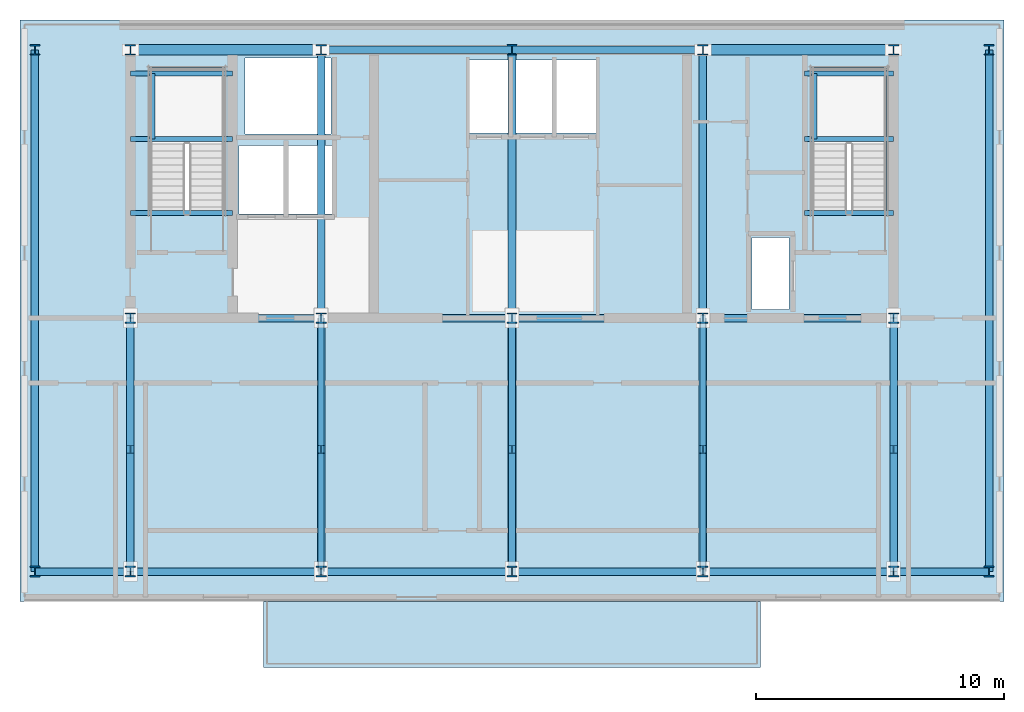
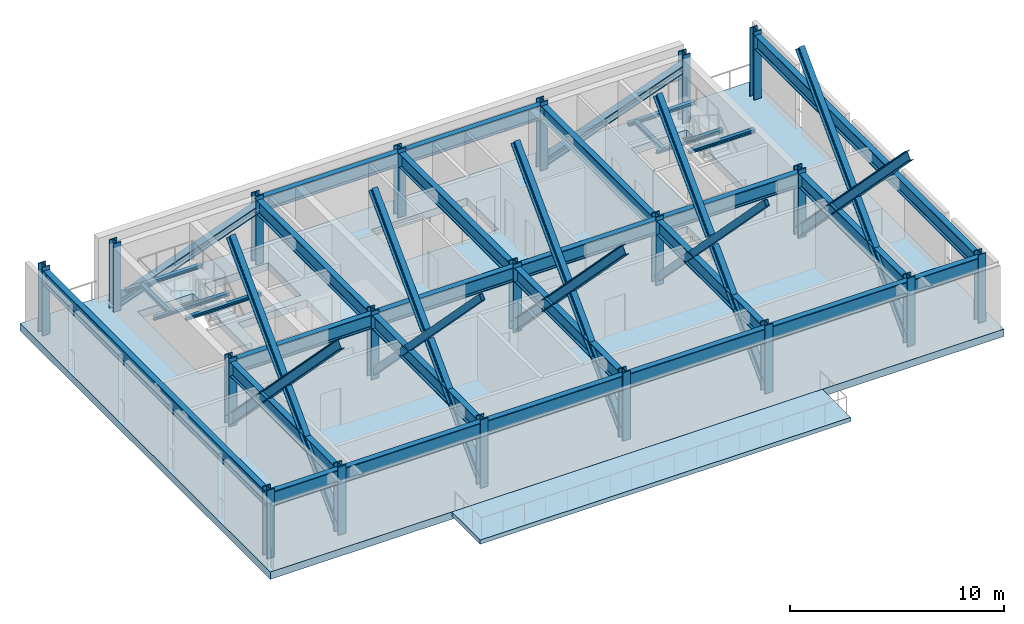
# One storey, part 1 of 8: 30 beams, 19 columns, 17 members, 2 slabs.
"""IFC4 building model written with IfcOpenShell, lengths in metres."""

from ifc_helpers import new_model, si_unit, direction, frame, origin, origin_2d, place, context, subcontext, project, spatial, polyline, hollow_rectangle, i_section, outline, extrude, material, layer, layer_set, material_profile, profile_set, type_object, element, save


model = new_model("IFC4")

# Units and contexts
model_context = context("Model", 3, precision=1e-05, world=origin(), true_north=direction((0.0, 1.0)))
body_context = subcontext(model_context, "Body", "Model", "MODEL_VIEW")
ifc_project = project(units=[si_unit("LENGTHUNIT", "METRE"), si_unit("AREAUNIT", "SQUARE_METRE"), si_unit("VOLUMEUNIT", "CUBIC_METRE"), si_unit("PLANEANGLEUNIT", "RADIAN"), si_unit("MASSUNIT", "GRAM", prefix="KILO")], contexts=[model_context])

# Site, building, storey
site_placement = place(None, origin())
site = spatial("IfcSite", under=ifc_project, at=site_placement, CompositionType="ELEMENT")
building_placement = place(site_placement, origin())
building = spatial("IfcBuilding", under=site, at=building_placement, Name="Yelkora Congress Tower", CompositionType="ELEMENT")
storey_placement = place(building_placement, frame((0.0, 0.0, 247.39990234375)))
storey = spatial("IfcBuildingStorey", under=building, at=storey_placement, Name="L69", CompositionType="ELEMENT", Elevation=247.39990234375)

# Columns
ifc_material_1 = material(Name="Steel S460M", Category="steel")
ifc_material_profile_1 = material_profile(ifc_material_1, i_section(OverallWidth=0.412109375, OverallDepth=0.43505859375, WebThickness=0.035888671875, FlangeThickness=0.05810546875, FilletRadius=0.014892578125, at=origin_2d()), Name="HD 400x463")
ifc_profile_set_1 = profile_set([ifc_material_profile_1], Name="Steel S460M")
column_type = type_object("IfcColumnType", Name="COL-HD-463", PredefinedType="COLUMN", material=ifc_profile_set_1)
for number, where, z_axis, x_axis, name in (
    (1, (23.0400390625, 35.39990234375, 0.0), (0.0, 0.0, 1.0), (1.0, 0.0, 0.0), "L69 Mega Column MC-S1"),
    (2, (23.0400390625, 46.199951171875, 0.0), (0.0, 0.0, 1.0), (1.0, 0.0, 0.0), "L69 Mega Column MC-N1"),
    (3, (23.0400390625, 25.199951171875, 0.0), (0.0, 0.0, 1.0), (1.0, 0.0, 0.0), "L69 Mega Column MC-D1"),
    (4, (30.719970703125, 35.39990234375, 0.0), (0.0, 0.0, 1.0), (1.0, 0.0, 0.0), "L69 Mega Column MC-S2"),
    (5, (30.719970703125, 46.199951171875, 0.0), (0.0, 0.0, 1.0), (1.0, 0.0, 0.0), "L69 Mega Column MC-N2"),
    (6, (30.719970703125, 25.199951171875, 0.0), (0.0, 0.0, 1.0), (1.0, 0.0, 0.0), "L69 Mega Column MC-D2"),
    (7, (38.39990234375, 35.39990234375, 0.0), (0.0, 0.0, 1.0), (1.0, 0.0, 0.0), "L69 Mega Column MC-S3"),
    (8, (38.39990234375, 46.199951171875, 0.0), (0.0, 0.0, 1.0), (1.0, 0.0, 0.0), "L69 Mega Column MC-N3"),
    (9, (38.39990234375, 25.199951171875, 0.0), (0.0, 0.0, 1.0), (1.0, 0.0, 0.0), "L69 Mega Column MC-D3"),
    (10, (46.080078125, 35.39990234375, 0.0), (0.0, 0.0, 1.0), (1.0, 0.0, 0.0), "L69 Mega Column MC-S4"),
    (11, (46.080078125, 46.199951171875, 0.0), (0.0, 0.0, 1.0), (1.0, 0.0, 0.0), "L69 Mega Column MC-N4"),
    (12, (46.080078125, 25.199951171875, 0.0), (0.0, 0.0, 1.0), (1.0, 0.0, 0.0), "L69 Mega Column MC-D4"),
    (13, (53.760009765625, 35.39990234375, 0.0), (0.0, 0.0, 1.0), (1.0, 0.0, 0.0), "L69 Mega Column MC-S5"),
    (14, (53.760009765625, 46.199951171875, 0.0), (0.0, 0.0, 1.0), (1.0, 0.0, 0.0), "L69 Mega Column MC-N5"),
    (15, (53.760009765625, 25.199951171875, 0.0), (0.0, 0.0, 1.0), (1.0, 0.0, 0.0), "L69 Mega Column MC-D5"),
    (16, (19.199951171875, 25.199951171875, 0.0), (0.0, 0.0, 1.0), (1.0, 0.0, 0.0), "L69 Mega Column MC-F1"),
    (17, (57.60009765625, 25.199951171875, 0.0), (0.0, 0.0, 1.0), (1.0, 0.0, 0.0), "L69 Mega Column MC-F2"),
    (18, (19.199951171875, 46.199951171875, 0.0), (0.0, 0.0, 1.0), (1.0, 0.0, 0.0), "L69 Mega Column MC-F3"),
    (19, (57.60009765625, 46.199951171875, 0.0), (0.0, 0.0, 1.0), (1.0, 0.0, 0.0), "L69 Mega Column MC-F4"),
):
    element("IfcColumn", number, at=place(storey_placement, frame(where, z_axis=z_axis, x_axis=x_axis)), inside=storey, type_object=column_type, Name=name, PredefinedType="COLUMN", context=body_context, shape_type="SweptSolid", body=[
        extrude(i_section(OverallWidth=0.412109375, OverallDepth=0.43505859375, WebThickness=0.035888671875, FlangeThickness=0.05810546875, FilletRadius=0.014892578125, at=origin_2d()), origin(), (0.0, 0.0, 1.0), 3.900146484375),
    ])

# Beams
ifc_material_2 = material(Name="Steel S355J2", Category="steel")
ifc_material_profile_2 = material_profile(ifc_material_2, i_section(OverallWidth=0.199951171875, OverallDepth=0.18994140625, WebThickness=0.006591796875, FlangeThickness=0.010009765625, FilletRadius=0.01806640625, at=origin_2d()), Name="HEA 200")
ifc_profile_set_2 = profile_set([ifc_material_profile_2], Name="Steel S355J2")
beam_type_1 = type_object("IfcBeamType", Name="BM-LAND-HEA200", PredefinedType="BEAM", material=ifc_profile_set_2)
for number, where, z_axis, x_axis, name in (
    (20, (23.0400390625, 42.6201171875, 1.634765625), (1.0, 0.0, 0.0), (0.0, 1.0, 0.0), "ST-01 L69 Landing Header Beam 1S"),
    (21, (23.0400390625, 45.25, 1.634765625), (1.0, 0.0, 0.0), (0.0, 1.0, 0.0), "ST-01 L69 Landing Header Beam 1N"),
):
    element("IfcBeam", number, at=place(storey_placement, frame(where, z_axis=z_axis, x_axis=x_axis)), inside=storey, type_object=beam_type_1, Name=name, PredefinedType="BEAM", context=body_context, shape_type="SweptSolid", body=[
        extrude(i_section(OverallWidth=0.199951171875, OverallDepth=0.18994140625, WebThickness=0.006591796875, FlangeThickness=0.010009765625, FilletRadius=0.01806640625, at=origin_2d()), origin(), (0.0, 0.0, 1.0), 4.10986328125),
    ])
beam_1_placement = place(storey_placement, frame((23.93994140625, 42.6201171875, 1.634765625), z_axis=(0.0, 1.0, 0.0), x_axis=(-1.0, 0.0, 0.0)))
element("IfcBeam", 22, at=beam_1_placement, inside=storey, type_object=beam_type_1, Name="ST-01 L69 Landing Trimmer Beam 1M", PredefinedType="BEAM", context=body_context, shape_type="SweptSolid", body=[
    extrude(i_section(OverallWidth=0.199951171875, OverallDepth=0.18994140625, WebThickness=0.006591796875, FlangeThickness=0.010009765625, FilletRadius=0.01806640625, at=origin_2d()), origin(), (0.0, 0.0, 1.0), 2.6298828125),
])
beam_2_placement = place(storey_placement, frame((23.0400390625, 39.639892578125, 3.43798828125), z_axis=(1.0, 0.0, 0.0), x_axis=(0.0, 1.0, 0.0)))
element("IfcBeam", 23, at=beam_2_placement, inside=storey, type_object=beam_type_1, Name="ST-01 L69 Floor Arrival Stringer Header Beam", PredefinedType="BEAM", context=body_context, shape_type="SweptSolid", body=[
    extrude(i_section(OverallWidth=0.199951171875, OverallDepth=0.18994140625, WebThickness=0.006591796875, FlangeThickness=0.010009765625, FilletRadius=0.01806640625, at=origin_2d()), origin(), (0.0, 0.0, 1.0), 4.10986328125),
])
for number, where, z_axis, x_axis, name in (
    (24, (50.179931640625, 42.6201171875, 1.634765625), (1.0, 0.0, 0.0), (0.0, 1.0, 0.0), "ST-02 L69 Landing Header Beam 1S"),
    (25, (50.179931640625, 45.25, 1.634765625), (1.0, 0.0, 0.0), (0.0, 1.0, 0.0), "ST-02 L69 Landing Header Beam 1N"),
):
    element("IfcBeam", number, at=place(storey_placement, frame(where, z_axis=z_axis, x_axis=x_axis)), inside=storey, type_object=beam_type_1, Name=name, PredefinedType="BEAM", context=body_context, shape_type="SweptSolid", body=[
        extrude(i_section(OverallWidth=0.199951171875, OverallDepth=0.18994140625, WebThickness=0.006591796875, FlangeThickness=0.010009765625, FilletRadius=0.01806640625, at=origin_2d()), origin(), (0.0, 0.0, 1.0), 3.580078125),
    ])
beam_3_placement = place(storey_placement, frame((50.580078125, 42.6201171875, 1.634765625), z_axis=(0.0, 1.0, 0.0), x_axis=(-1.0, 0.0, 0.0)))
element("IfcBeam", 26, at=beam_3_placement, inside=storey, type_object=beam_type_1, Name="ST-02 L69 Landing Trimmer Beam 1M", PredefinedType="BEAM", context=body_context, shape_type="SweptSolid", body=[
    extrude(i_section(OverallWidth=0.199951171875, OverallDepth=0.18994140625, WebThickness=0.006591796875, FlangeThickness=0.010009765625, FilletRadius=0.01806640625, at=origin_2d()), origin(), (0.0, 0.0, 1.0), 2.6298828125),
])
beam_4_placement = place(storey_placement, frame((50.179931640625, 39.639892578125, 3.43798828125), z_axis=(1.0, 0.0, 0.0), x_axis=(0.0, 1.0, 0.0)))
element("IfcBeam", 27, at=beam_4_placement, inside=storey, type_object=beam_type_1, Name="ST-02 L69 Floor Arrival Stringer Header Beam", PredefinedType="BEAM", context=body_context, shape_type="SweptSolid", body=[
    extrude(i_section(OverallWidth=0.199951171875, OverallDepth=0.18994140625, WebThickness=0.006591796875, FlangeThickness=0.010009765625, FilletRadius=0.01806640625, at=origin_2d()), origin(), (0.0, 0.0, 1.0), 3.580078125),
])
ifc_material_profile_3 = material_profile(ifc_material_1, i_section(OverallWidth=0.302978515625, OverallDepth=0.81396484375, WebThickness=0.02099609375, FlangeThickness=0.0400390625, FilletRadius=0.030029296875, at=origin_2d()), Name="HEM 800")
ifc_profile_set_3 = profile_set([ifc_material_profile_3], Name="Steel S460M")
beam_type_2 = type_object("IfcBeamType", Name="BM-XFER-HEM800", PredefinedType="BEAM", material=ifc_profile_set_3)
beam_5_placement = place(storey_placement, frame((19.199951171875, 25.199951171875, 3.273193359375), z_axis=(1.0, 0.0, 0.0), x_axis=(0.0, 1.0, 0.0)))
element("IfcBeam", 28, at=beam_5_placement, inside=storey, type_object=beam_type_2, Name="L69 Spine Grid D Girder 1", PredefinedType="BEAM", context=body_context, shape_type="SweptSolid", body=[
    extrude(i_section(OverallWidth=0.302978515625, OverallDepth=0.81396484375, WebThickness=0.02099609375, FlangeThickness=0.0400390625, FilletRadius=0.030029296875, at=origin_2d()), origin(), (0.0, 0.0, 1.0), 3.840087890625),
])
for number, where, z_axis, x_axis, name in (
    (29, (23.0400390625, 25.199951171875, 3.273193359375), (1.0, 0.0, 0.0), (0.0, 1.0, 0.0), "L69 Spine Grid D Girder 2"),
    (30, (30.719970703125, 25.199951171875, 3.273193359375), (1.0, 0.0, 0.0), (0.0, 1.0, 0.0), "L69 Spine Grid D Girder 3"),
):
    element("IfcBeam", number, at=place(storey_placement, frame(where, z_axis=z_axis, x_axis=x_axis)), inside=storey, type_object=beam_type_2, Name=name, PredefinedType="BEAM", context=body_context, shape_type="SweptSolid", body=[
        extrude(i_section(OverallWidth=0.302978515625, OverallDepth=0.81396484375, WebThickness=0.02099609375, FlangeThickness=0.0400390625, FilletRadius=0.030029296875, at=origin_2d()), origin(), (0.0, 0.0, 1.0), 7.679931640625),
    ])
beam_6_placement = place(storey_placement, frame((38.39990234375, 25.199951171875, 3.273193359375), z_axis=(1.0, 0.0, 0.0), x_axis=(0.0, 1.0, 0.0)))
element("IfcBeam", 31, at=beam_6_placement, inside=storey, type_object=beam_type_2, Name="L69 Spine Grid D Girder 4", PredefinedType="BEAM", context=body_context, shape_type="SweptSolid", body=[
    extrude(i_section(OverallWidth=0.302978515625, OverallDepth=0.81396484375, WebThickness=0.02099609375, FlangeThickness=0.0400390625, FilletRadius=0.030029296875, at=origin_2d()), origin(), (0.0, 0.0, 1.0), 7.68017578125),
])
beam_7_placement = place(storey_placement, frame((46.080078125, 25.199951171875, 3.273193359375), z_axis=(1.0, 0.0, 0.0), x_axis=(0.0, 1.0, 0.0)))
element("IfcBeam", 32, at=beam_7_placement, inside=storey, type_object=beam_type_2, Name="L69 Spine Grid D Girder 5", PredefinedType="BEAM", context=body_context, shape_type="SweptSolid", body=[
    extrude(i_section(OverallWidth=0.302978515625, OverallDepth=0.81396484375, WebThickness=0.02099609375, FlangeThickness=0.0400390625, FilletRadius=0.030029296875, at=origin_2d()), origin(), (0.0, 0.0, 1.0), 7.679931640625),
])
beam_8_placement = place(storey_placement, frame((53.760009765625, 25.199951171875, 3.273193359375), z_axis=(1.0, 0.0, 0.0), x_axis=(0.0, 1.0, 0.0)))
element("IfcBeam", 33, at=beam_8_placement, inside=storey, type_object=beam_type_2, Name="L69 Spine Grid D Girder 6", PredefinedType="BEAM", context=body_context, shape_type="SweptSolid", body=[
    extrude(i_section(OverallWidth=0.302978515625, OverallDepth=0.81396484375, WebThickness=0.02099609375, FlangeThickness=0.0400390625, FilletRadius=0.030029296875, at=origin_2d()), origin(), (0.0, 0.0, 1.0), 3.840087890625),
])
beam_9_placement = place(storey_placement, frame((30.719970703125, 46.199951171875, 3.273193359375), z_axis=(1.0, 0.0, 0.0), x_axis=(0.0, 1.0, 0.0)))
element("IfcBeam", 34, at=beam_9_placement, inside=storey, type_object=beam_type_2, Name="L69 Core North Girder 3", PredefinedType="BEAM", context=body_context, shape_type="SweptSolid", body=[
    extrude(i_section(OverallWidth=0.302978515625, OverallDepth=0.81396484375, WebThickness=0.02099609375, FlangeThickness=0.0400390625, FilletRadius=0.030029296875, at=origin_2d()), origin(), (0.0, 0.0, 1.0), 7.679931640625),
])
beam_10_placement = place(storey_placement, frame((38.39990234375, 46.199951171875, 3.273193359375), z_axis=(1.0, 0.0, 0.0), x_axis=(0.0, 1.0, 0.0)))
element("IfcBeam", 35, at=beam_10_placement, inside=storey, type_object=beam_type_2, Name="L69 Core North Girder 4", PredefinedType="BEAM", context=body_context, shape_type="SweptSolid", body=[
    extrude(i_section(OverallWidth=0.302978515625, OverallDepth=0.81396484375, WebThickness=0.02099609375, FlangeThickness=0.0400390625, FilletRadius=0.030029296875, at=origin_2d()), origin(), (0.0, 0.0, 1.0), 7.68017578125),
])
for number, where, z_axis, x_axis, name in (
    (36, (23.0400390625, 35.39990234375, 3.273193359375), (1.0, 0.0, 0.0), (0.0, 1.0, 0.0), "L69 Core South Girder 1"),
    (37, (30.719970703125, 35.39990234375, 3.273193359375), (1.0, 0.0, 0.0), (0.0, 1.0, 0.0), "L69 Core South Girder 2"),
):
    element("IfcBeam", number, at=place(storey_placement, frame(where, z_axis=z_axis, x_axis=x_axis)), inside=storey, type_object=beam_type_2, Name=name, PredefinedType="BEAM", context=body_context, shape_type="SweptSolid", body=[
        extrude(i_section(OverallWidth=0.302978515625, OverallDepth=0.81396484375, WebThickness=0.02099609375, FlangeThickness=0.0400390625, FilletRadius=0.030029296875, at=origin_2d()), origin(), (0.0, 0.0, 1.0), 7.679931640625),
    ])
beam_11_placement = place(storey_placement, frame((38.39990234375, 35.39990234375, 3.273193359375), z_axis=(1.0, 0.0, 0.0), x_axis=(0.0, 1.0, 0.0)))
element("IfcBeam", 38, at=beam_11_placement, inside=storey, type_object=beam_type_2, Name="L69 Core South Girder 3", PredefinedType="BEAM", context=body_context, shape_type="SweptSolid", body=[
    extrude(i_section(OverallWidth=0.302978515625, OverallDepth=0.81396484375, WebThickness=0.02099609375, FlangeThickness=0.0400390625, FilletRadius=0.030029296875, at=origin_2d()), origin(), (0.0, 0.0, 1.0), 7.68017578125),
])
beam_12_placement = place(storey_placement, frame((46.080078125, 35.39990234375, 3.273193359375), z_axis=(1.0, 0.0, 0.0), x_axis=(0.0, 1.0, 0.0)))
element("IfcBeam", 39, at=beam_12_placement, inside=storey, type_object=beam_type_2, Name="L69 Core South Girder 4", PredefinedType="BEAM", context=body_context, shape_type="SweptSolid", body=[
    extrude(i_section(OverallWidth=0.302978515625, OverallDepth=0.81396484375, WebThickness=0.02099609375, FlangeThickness=0.0400390625, FilletRadius=0.030029296875, at=origin_2d()), origin(), (0.0, 0.0, 1.0), 7.679931640625),
])
for number, where, z_axis, x_axis, name in (
    (40, (23.0400390625, 25.199951171875, 3.273193359375), (0.0, 1.0, 0.0), (-1.0, 0.0, 0.0), "L69 Core Tie Girder MC-D1"),
    (41, (30.719970703125, 25.199951171875, 3.273193359375), (0.0, 1.0, 0.0), (-1.0, 0.0, 0.0), "L69 Core Tie Girder MC-D2"),
):
    element("IfcBeam", number, at=place(storey_placement, frame(where, z_axis=z_axis, x_axis=x_axis)), inside=storey, type_object=beam_type_2, Name=name, PredefinedType="BEAM", context=body_context, shape_type="SweptSolid", body=[
        extrude(i_section(OverallWidth=0.302978515625, OverallDepth=0.81396484375, WebThickness=0.02099609375, FlangeThickness=0.0400390625, FilletRadius=0.030029296875, at=origin_2d()), origin(), (0.0, 0.0, 1.0), 10.199951171875),
    ])
beam_13_placement = place(storey_placement, frame((30.719970703125, 35.39990234375, 3.273193359375), z_axis=(0.0, 1.0, 0.0), x_axis=(-1.0, 0.0, 0.0)))
element("IfcBeam", 42, at=beam_13_placement, inside=storey, type_object=beam_type_2, Name="L69 Core Tie Girder MC-S2", PredefinedType="BEAM", context=body_context, shape_type="SweptSolid", body=[
    extrude(i_section(OverallWidth=0.302978515625, OverallDepth=0.81396484375, WebThickness=0.02099609375, FlangeThickness=0.0400390625, FilletRadius=0.030029296875, at=origin_2d()), origin(), (0.0, 0.0, 1.0), 10.800048828125),
])
beam_14_placement = place(storey_placement, frame((38.39990234375, 25.199951171875, 3.273193359375), z_axis=(0.0, 1.0, 0.0), x_axis=(-1.0, 0.0, 0.0)))
element("IfcBeam", 43, at=beam_14_placement, inside=storey, type_object=beam_type_2, Name="L69 Core Tie Girder MC-D3", PredefinedType="BEAM", context=body_context, shape_type="SweptSolid", body=[
    extrude(i_section(OverallWidth=0.302978515625, OverallDepth=0.81396484375, WebThickness=0.02099609375, FlangeThickness=0.0400390625, FilletRadius=0.030029296875, at=origin_2d()), origin(), (0.0, 0.0, 1.0), 10.199951171875),
])
beam_15_placement = place(storey_placement, frame((38.39990234375, 35.39990234375, 3.273193359375), z_axis=(0.0, 1.0, 0.0), x_axis=(-1.0, 0.0, 0.0)))
element("IfcBeam", 44, at=beam_15_placement, inside=storey, type_object=beam_type_2, Name="L69 Core Tie Girder MC-S3", PredefinedType="BEAM", context=body_context, shape_type="SweptSolid", body=[
    extrude(i_section(OverallWidth=0.302978515625, OverallDepth=0.81396484375, WebThickness=0.02099609375, FlangeThickness=0.0400390625, FilletRadius=0.030029296875, at=origin_2d()), origin(), (0.0, 0.0, 1.0), 10.800048828125),
])
beam_16_placement = place(storey_placement, frame((46.080078125, 25.199951171875, 3.273193359375), z_axis=(0.0, 1.0, 0.0), x_axis=(-1.0, 0.0, 0.0)))
element("IfcBeam", 45, at=beam_16_placement, inside=storey, type_object=beam_type_2, Name="L69 Core Tie Girder MC-D4", PredefinedType="BEAM", context=body_context, shape_type="SweptSolid", body=[
    extrude(i_section(OverallWidth=0.302978515625, OverallDepth=0.81396484375, WebThickness=0.02099609375, FlangeThickness=0.0400390625, FilletRadius=0.030029296875, at=origin_2d()), origin(), (0.0, 0.0, 1.0), 10.199951171875),
])
beam_17_placement = place(storey_placement, frame((46.080078125, 35.39990234375, 3.273193359375), z_axis=(0.0, 1.0, 0.0), x_axis=(-1.0, 0.0, 0.0)))
element("IfcBeam", 46, at=beam_17_placement, inside=storey, type_object=beam_type_2, Name="L69 Core Tie Girder MC-S4", PredefinedType="BEAM", context=body_context, shape_type="SweptSolid", body=[
    extrude(i_section(OverallWidth=0.302978515625, OverallDepth=0.81396484375, WebThickness=0.02099609375, FlangeThickness=0.0400390625, FilletRadius=0.030029296875, at=origin_2d()), origin(), (0.0, 0.0, 1.0), 10.800048828125),
])
beam_18_placement = place(storey_placement, frame((53.760009765625, 25.199951171875, 3.273193359375), z_axis=(0.0, 1.0, 0.0), x_axis=(-1.0, 0.0, 0.0)))
element("IfcBeam", 47, at=beam_18_placement, inside=storey, type_object=beam_type_2, Name="L69 Core Tie Girder MC-D5", PredefinedType="BEAM", context=body_context, shape_type="SweptSolid", body=[
    extrude(i_section(OverallWidth=0.302978515625, OverallDepth=0.81396484375, WebThickness=0.02099609375, FlangeThickness=0.0400390625, FilletRadius=0.030029296875, at=origin_2d()), origin(), (0.0, 0.0, 1.0), 10.199951171875),
])
for number, where, z_axis, x_axis, name in (
    (48, (19.199951171875, 25.199951171875, 3.273193359375), (0.0, 1.0, 0.0), (-1.0, 0.0, 0.0), "L69 Neck Flank Girder MC-F1"),
    (49, (57.60009765625, 25.199951171875, 3.273193359375), (0.0, 1.0, 0.0), (-1.0, 0.0, 0.0), "L69 Neck Flank Girder MC-F2"),
):
    element("IfcBeam", number, at=place(storey_placement, frame(where, z_axis=z_axis, x_axis=x_axis)), inside=storey, type_object=beam_type_2, Name=name, PredefinedType="BEAM", context=body_context, shape_type="SweptSolid", body=[
        extrude(i_section(OverallWidth=0.302978515625, OverallDepth=0.81396484375, WebThickness=0.02099609375, FlangeThickness=0.0400390625, FilletRadius=0.030029296875, at=origin_2d()), origin(), (0.0, 0.0, 1.0), 21.0),
    ])

# Members
ifc_material_profile_4 = material_profile(ifc_material_2, i_section(OverallWidth=0.300048828125, OverallDepth=0.5, WebThickness=0.014404296875, FlangeThickness=0.028076171875, FilletRadius=0.027099609375, at=origin_2d()), Name="HEB 500")
ifc_profile_set_4 = profile_set([ifc_material_profile_4], Name="Steel S355J2")
member_type_1 = type_object("IfcMemberType", Name="MEM-BRACE-HEB500", PredefinedType="BRACE", material=ifc_profile_set_4)
member_1_placement = place(storey_placement, frame((23.0400390625, 35.39990234375, 0.25), z_axis=(0.0, -0.697467826635, 0.71661609723), x_axis=(1.0, 0.0, 0.0)))
element("IfcMember", 50, at=member_1_placement, inside=storey, type_object=member_type_1, Name="N4 Outrigger Continuous Diagonal 1A", PredefinedType="BRACE", context=body_context, shape_type="SweptSolid", body=[
    extrude(i_section(OverallWidth=0.300048828125, OverallDepth=0.5, WebThickness=0.014404296875, FlangeThickness=0.028076171875, FilletRadius=0.027099609375, at=origin_2d()), origin(), (0.0, 0.0, 1.0), 14.624267578125),
])
member_2_placement = place(storey_placement, frame((23.0400390625, 35.39990234375, 10.72998046875), z_axis=(0.0, -0.697476508479, -0.716607647266), x_axis=(1.0, 0.0, 0.0)))
element("IfcMember", 51, at=member_2_placement, inside=storey, type_object=member_type_1, Name="N4 Outrigger Split Diagonal 1B1", PredefinedType="BRACE", context=body_context, shape_type="SweptSolid", body=[
    extrude(i_section(OverallWidth=0.300048828125, OverallDepth=0.5, WebThickness=0.014404296875, FlangeThickness=0.028076171875, FilletRadius=0.027099609375, at=origin_2d()), origin(), (0.0, 0.0, 1.0), 7.08251953125),
])
member_3_placement = place(storey_placement, frame((23.0400390625, 30.139892578125, 5.32568359375), z_axis=(0.0, -0.697459279751, -0.716624415638), x_axis=(1.0, 0.0, 0.0)))
element("IfcMember", 52, at=member_3_placement, inside=storey, type_object=member_type_1, Name="N4 Outrigger Split Diagonal 1B2", PredefinedType="BRACE", context=body_context, shape_type="SweptSolid", body=[
    extrude(i_section(OverallWidth=0.300048828125, OverallDepth=0.5, WebThickness=0.014404296875, FlangeThickness=0.028076171875, FilletRadius=0.027099609375, at=origin_2d()), origin(), (0.0, 0.0, 1.0), 7.082763671875),
])
member_4_placement = place(storey_placement, frame((30.719970703125, 35.39990234375, 10.72998046875), z_axis=(0.0, -0.697476508479, -0.716607647266), x_axis=(1.0, 0.0, 0.0)))
element("IfcMember", 53, at=member_4_placement, inside=storey, type_object=member_type_1, Name="N4 Outrigger Split Diagonal 2B1", PredefinedType="BRACE", context=body_context, shape_type="SweptSolid", body=[
    extrude(i_section(OverallWidth=0.300048828125, OverallDepth=0.5, WebThickness=0.014404296875, FlangeThickness=0.028076171875, FilletRadius=0.027099609375, at=origin_2d()), origin(), (0.0, 0.0, 1.0), 7.08251953125),
])
member_5_placement = place(storey_placement, frame((30.719970703125, 30.139892578125, 5.32568359375), z_axis=(0.0, -0.697459279751, -0.716624415638), x_axis=(1.0, 0.0, 0.0)))
element("IfcMember", 54, at=member_5_placement, inside=storey, type_object=member_type_1, Name="N4 Outrigger Split Diagonal 2B2", PredefinedType="BRACE", context=body_context, shape_type="SweptSolid", body=[
    extrude(i_section(OverallWidth=0.300048828125, OverallDepth=0.5, WebThickness=0.014404296875, FlangeThickness=0.028076171875, FilletRadius=0.027099609375, at=origin_2d()), origin(), (0.0, 0.0, 1.0), 7.082763671875),
])
member_6_placement = place(storey_placement, frame((38.39990234375, 35.39990234375, 0.25), z_axis=(0.0, -0.697467826635, 0.71661609723), x_axis=(1.0, 0.0, 0.0)))
element("IfcMember", 55, at=member_6_placement, inside=storey, type_object=member_type_1, Name="N4 Outrigger Continuous Diagonal 3A", PredefinedType="BRACE", context=body_context, shape_type="SweptSolid", body=[
    extrude(i_section(OverallWidth=0.300048828125, OverallDepth=0.5, WebThickness=0.014404296875, FlangeThickness=0.028076171875, FilletRadius=0.027099609375, at=origin_2d()), origin(), (0.0, 0.0, 1.0), 14.624267578125),
])
member_7_placement = place(storey_placement, frame((38.39990234375, 35.39990234375, 10.72998046875), z_axis=(0.0, -0.697476508479, -0.716607647266), x_axis=(1.0, 0.0, 0.0)))
element("IfcMember", 56, at=member_7_placement, inside=storey, type_object=member_type_1, Name="N4 Outrigger Split Diagonal 3B1", PredefinedType="BRACE", context=body_context, shape_type="SweptSolid", body=[
    extrude(i_section(OverallWidth=0.300048828125, OverallDepth=0.5, WebThickness=0.014404296875, FlangeThickness=0.028076171875, FilletRadius=0.027099609375, at=origin_2d()), origin(), (0.0, 0.0, 1.0), 7.08251953125),
])
member_8_placement = place(storey_placement, frame((38.39990234375, 30.139892578125, 5.32568359375), z_axis=(0.0, -0.697459279751, -0.716624415638), x_axis=(1.0, 0.0, 0.0)))
element("IfcMember", 57, at=member_8_placement, inside=storey, type_object=member_type_1, Name="N4 Outrigger Split Diagonal 3B2", PredefinedType="BRACE", context=body_context, shape_type="SweptSolid", body=[
    extrude(i_section(OverallWidth=0.300048828125, OverallDepth=0.5, WebThickness=0.014404296875, FlangeThickness=0.028076171875, FilletRadius=0.027099609375, at=origin_2d()), origin(), (0.0, 0.0, 1.0), 7.082763671875),
])
member_9_placement = place(storey_placement, frame((46.080078125, 35.39990234375, 10.72998046875), z_axis=(0.0, -0.697476508479, -0.716607647266), x_axis=(1.0, 0.0, 0.0)))
element("IfcMember", 58, at=member_9_placement, inside=storey, type_object=member_type_1, Name="N4 Outrigger Split Diagonal 4B1", PredefinedType="BRACE", context=body_context, shape_type="SweptSolid", body=[
    extrude(i_section(OverallWidth=0.300048828125, OverallDepth=0.5, WebThickness=0.014404296875, FlangeThickness=0.028076171875, FilletRadius=0.027099609375, at=origin_2d()), origin(), (0.0, 0.0, 1.0), 7.08251953125),
])
member_10_placement = place(storey_placement, frame((46.080078125, 30.139892578125, 5.32568359375), z_axis=(0.0, -0.697459279751, -0.716624415638), x_axis=(1.0, 0.0, 0.0)))
element("IfcMember", 59, at=member_10_placement, inside=storey, type_object=member_type_1, Name="N4 Outrigger Split Diagonal 4B2", PredefinedType="BRACE", context=body_context, shape_type="SweptSolid", body=[
    extrude(i_section(OverallWidth=0.300048828125, OverallDepth=0.5, WebThickness=0.014404296875, FlangeThickness=0.028076171875, FilletRadius=0.027099609375, at=origin_2d()), origin(), (0.0, 0.0, 1.0), 7.082763671875),
])
member_11_placement = place(storey_placement, frame((53.760009765625, 35.39990234375, 0.25), z_axis=(0.0, -0.697467826635, 0.71661609723), x_axis=(1.0, 0.0, 0.0)))
element("IfcMember", 60, at=member_11_placement, inside=storey, type_object=member_type_1, Name="N4 Outrigger Continuous Diagonal 5A", PredefinedType="BRACE", context=body_context, shape_type="SweptSolid", body=[
    extrude(i_section(OverallWidth=0.300048828125, OverallDepth=0.5, WebThickness=0.014404296875, FlangeThickness=0.028076171875, FilletRadius=0.027099609375, at=origin_2d()), origin(), (0.0, 0.0, 1.0), 14.624267578125),
])
member_12_placement = place(storey_placement, frame((53.760009765625, 35.39990234375, 10.72998046875), z_axis=(0.0, -0.697476508479, -0.716607647266), x_axis=(1.0, 0.0, 0.0)))
element("IfcMember", 61, at=member_12_placement, inside=storey, type_object=member_type_1, Name="N4 Outrigger Split Diagonal 5B1", PredefinedType="BRACE", context=body_context, shape_type="SweptSolid", body=[
    extrude(i_section(OverallWidth=0.300048828125, OverallDepth=0.5, WebThickness=0.014404296875, FlangeThickness=0.028076171875, FilletRadius=0.027099609375, at=origin_2d()), origin(), (0.0, 0.0, 1.0), 7.08251953125),
])
member_13_placement = place(storey_placement, frame((53.760009765625, 30.139892578125, 5.32568359375), z_axis=(0.0, -0.697459279751, -0.716624415638), x_axis=(1.0, 0.0, 0.0)))
element("IfcMember", 62, at=member_13_placement, inside=storey, type_object=member_type_1, Name="N4 Outrigger Split Diagonal 5B2", PredefinedType="BRACE", context=body_context, shape_type="SweptSolid", body=[
    extrude(i_section(OverallWidth=0.300048828125, OverallDepth=0.5, WebThickness=0.014404296875, FlangeThickness=0.028076171875, FilletRadius=0.027099609375, at=origin_2d()), origin(), (0.0, 0.0, 1.0), 7.082763671875),
])
ifc_material_profile_5 = material_profile(ifc_material_1, i_section(OverallWidth=0.412109375, OverallDepth=0.43505859375, WebThickness=0.035888671875, FlangeThickness=0.05810546875, FilletRadius=0.014892578125, at=origin_2d()), Name="HD 400x463")
ifc_profile_set_5 = profile_set([ifc_material_profile_5], Name="Steel S460M")
member_type_2 = type_object("IfcMemberType", Name="MEM-STRUT-HD463", PredefinedType="STRUT", material=ifc_profile_set_5)
for number, where, z_axis, x_axis, name in (
    (63, (23.0400390625, 46.199951171875, 0.35009765625), (0.940290758169, 0.0, 0.340372281631), (0.0, 1.0, 0.0), "N4 Core Outrigger Tie Strut W"),
    (64, (46.080078125, 46.199951171875, 0.35009765625), (0.940290758169, 0.0, 0.340372281631), (0.0, 1.0, 0.0), "N4 Core Outrigger Tie Strut E"),
):
    element("IfcMember", number, at=place(storey_placement, frame(where, z_axis=z_axis, x_axis=x_axis)), inside=storey, type_object=member_type_2, Name=name, PredefinedType="STRUT", context=body_context, shape_type="SweptSolid", body=[
        extrude(i_section(OverallWidth=0.412109375, OverallDepth=0.43505859375, WebThickness=0.035888671875, FlangeThickness=0.05810546875, FilletRadius=0.014892578125, at=origin_2d()), origin(), (0.0, 0.0, 1.0), 8.167724609375),
    ])
ifc_material_profile_6 = material_profile(ifc_material_2, hollow_rectangle(XDim=0.199951171875, YDim=0.35009765625, WallThickness=0.01416015625, at=origin_2d()), Name="RHS 350x200x14.2")
ifc_profile_set_6 = profile_set([ifc_material_profile_6], Name="Steel S355J2")
member_type_3 = type_object("IfcMemberType", Name="MEM-STRUT-RHS350", PredefinedType="STRUT", material=ifc_profile_set_6)
for number, where, z_axis, x_axis, name in (
    (65, (30.719970703125, 35.39990234375, 0.25), (0.0, -0.697467826635, 0.71661609723), (1.0, 0.0, 0.0), "N4 Outrigger Continuous Diagonal 2A"),
    (66, (46.080078125, 35.39990234375, 0.25), (0.0, -0.697467826635, 0.71661609723), (1.0, 0.0, 0.0), "N4 Outrigger Continuous Diagonal 4A"),
):
    element("IfcMember", number, at=place(storey_placement, frame(where, z_axis=z_axis, x_axis=x_axis)), inside=storey, type_object=member_type_3, Name=name, PredefinedType="STRUT", context=body_context, shape_type="SweptSolid", body=[
        extrude(hollow_rectangle(XDim=0.199951171875, YDim=0.35009765625, WallThickness=0.01416015625, at=origin_2d()), origin(), (0.0, 0.0, 1.0), 14.624267578125),
    ])

# Slabs
ifc_material_3 = material(Name="Concrete C40/50", Category="concrete")
ifc_layer_1 = layer(ifc_material_3, 0.239990234375)
ifc_layer_set_1 = layer_set([ifc_layer_1], Name="Concrete C40/50")
slab_type_1 = type_object("IfcSlabType", Name="SLAB-TER-240", PredefinedType="FLOOR", material=ifc_layer_set_1)
slab_1_placement = place(storey_placement, frame((0.0, 0.0, -0.239990234375)))
element("IfcSlab", 67, at=slab_1_placement, inside=storey, type_object=slab_type_1, Name="L69 Planted Sky Garden Terrace Slab", PredefinedType="FLOOR", context=body_context, shape_type="SweptSolid", body=[
    extrude(outline(polyline([(28.39990234375, 21.35009765625), (28.39990234375, 24.0), (48.39990234375, 24.0), (48.39990234375, 21.35009765625), (28.39990234375, 21.35009765625)])), origin(), (0.0, 0.0, 1.0), 0.239990234375),
])
ifc_material_4 = material(Name="Concrete C60/75", Category="concrete")
ifc_layer_2 = layer(ifc_material_4, 0.419921875)
ifc_layer_set_2 = layer_set([ifc_layer_2], Name="Concrete C60/75")
slab_type_2 = type_object("IfcSlabType", Name="SLAB-XFER-420", PredefinedType="FLOOR", material=ifc_layer_set_2)
slab_2_placement = place(storey_placement, frame((0.0, 0.0, -0.419921875)))
element("IfcSlab", 68, at=slab_2_placement, inside=storey, type_object=slab_type_2, Name="L69 Structural Floor Slab", PredefinedType="FLOOR", context=body_context, shape_type="SweptSolid", body=[
    extrude(outline(polyline([(18.60009765625, 24.0), (58.199951171875, 24.0), (58.199951171875, 47.39990234375), (18.60009765625, 47.39990234375), (18.60009765625, 24.0)]), holes=[polyline([(23.820068359375, 39.6298828125), (26.820068359375, 39.6298828125), (26.820068359375, 45.469970703125), (23.820068359375, 45.469970703125), (23.820068359375, 39.6298828125)]), polyline([(50.4599609375, 39.6298828125), (53.4599609375, 39.6298828125), (53.4599609375, 45.469970703125), (50.4599609375, 45.469970703125), (50.4599609375, 39.6298828125)]), polyline([(48.050048828125, 35.75), (49.550048828125, 35.75), (49.550048828125, 38.64990234375), (48.050048828125, 38.64990234375), (48.050048828125, 35.75)]), polyline([(36.64990234375, 42.85009765625), (41.800048828125, 42.85009765625), (41.800048828125, 45.800048828125), (36.64990234375, 45.800048828125), (36.64990234375, 42.85009765625)]), polyline([(27.419921875, 39.60009765625), (31.179931640625, 39.60009765625), (31.179931640625, 42.35009765625), (27.419921875, 42.35009765625), (27.419921875, 39.60009765625)]), polyline([(27.64990234375, 42.820068359375), (31.1201171875, 42.820068359375), (31.1201171875, 45.8798828125), (27.64990234375, 45.8798828125), (27.64990234375, 42.820068359375)])]), origin(), (0.0, 0.0, 1.0), 0.419921875),
])

save(model, "model.ifc")
